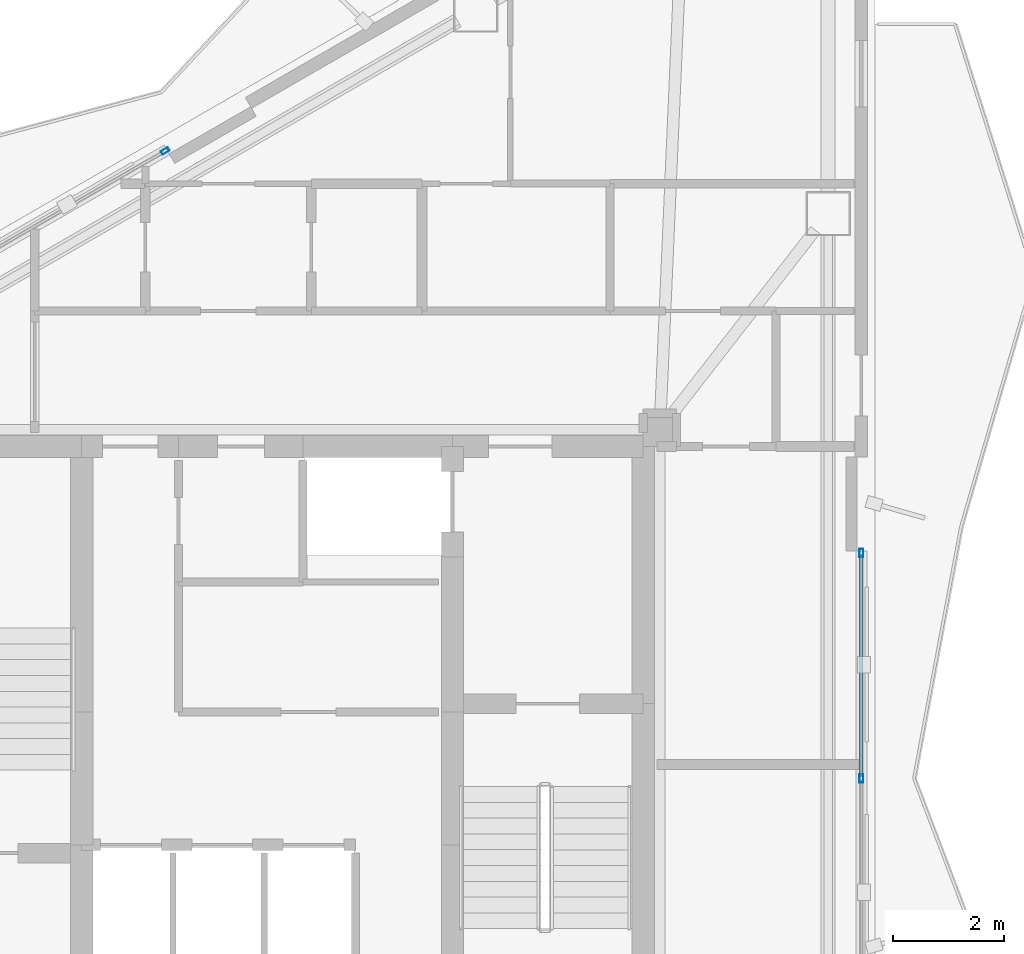
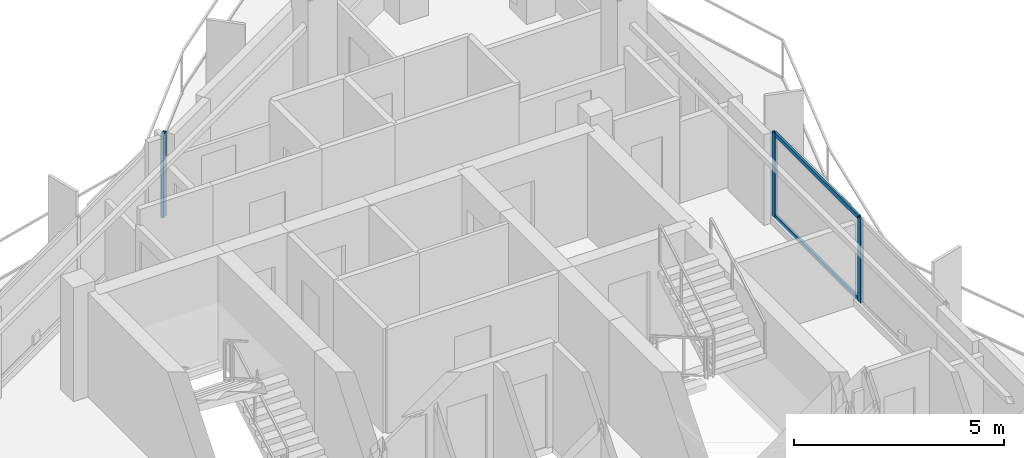
# One storey, part 12 of 18: 5 members, 2 elements without a shape of their own.
"""IFC4 building model written with IfcOpenShell, lengths in metres."""

from ifc_helpers import new_model, si_unit, direction, frame, origin, origin_2d, place, context, subcontext, project, spatial, hollow_rectangle, extrude, material, layer, layer_set, material_profile, profile_set, type_object, element, aggregate, save


model = new_model("IFC4")

# Units and contexts
model_context = context("Model", 3, precision=1e-05, world=origin(), true_north=direction((0.0, 1.0)))
body_context = subcontext(model_context, "Body", "Model", "MODEL_VIEW")
ifc_project = project(units=[si_unit("LENGTHUNIT", "METRE"), si_unit("AREAUNIT", "SQUARE_METRE"), si_unit("VOLUMEUNIT", "CUBIC_METRE"), si_unit("PLANEANGLEUNIT", "RADIAN"), si_unit("MASSUNIT", "GRAM", prefix="KILO")], contexts=[model_context])

# Site, building, storey
site_placement = place(None, origin())
site = spatial("IfcSite", under=ifc_project, at=site_placement, CompositionType="ELEMENT")
building_placement = place(site_placement, origin())
building = spatial("IfcBuilding", under=site, at=building_placement, Name="Mersakhor Tower and Convention Hall", CompositionType="ELEMENT")
storey_placement = place(building_placement, frame((0.0, 0.0, 246.300048828125)))
storey = spatial("IfcBuildingStorey", under=building, at=storey_placement, Name="L69", CompositionType="ELEMENT", Elevation=246.300048828125)

# Curtain wall, member
ifc_material_1 = material(Name="Dark solar low-E aluminium curtain wall", Category="aluminium")
ifc_layer = layer(ifc_material_1, 0.179931640625)
ifc_layer_set = layer_set([ifc_layer], Name="Dark solar low-E aluminium curtain wall")
curtain_wall_type = type_object("IfcCurtainWallType", Name="CW-SYS-03", PredefinedType="USERDEFINED", material=ifc_layer_set)
curtain_wall_1_placement = place(storey_placement, origin())
curtain_wall_1 = element("IfcCurtainWall", 1, at=curtain_wall_1_placement, inside=storey, type_object=curtain_wall_type, Name="L69 Dark-Glass Curtain Wall F1-B2", ObjectType="CURTAIN WALL", PredefinedType="USERDEFINED")
ifc_material_2 = material(Name="Anodised aluminium EN AW-6063 T6", Category="aluminium")
ifc_material_profile_1 = material_profile(ifc_material_2, hollow_rectangle(XDim=0.074951171875, YDim=0.14990234375, WallThickness=0.00634765625, at=origin_2d()), Name="RHS 150x75x6.3")
ifc_profile_set_1 = profile_set([ifc_material_profile_1], Name="Anodised aluminium EN AW-6063 T6")
member_type_1 = type_object("IfcMemberType", Name="CWM-150x75", PredefinedType="MULLION", material=ifc_profile_set_1)
member_1_placement = place(storey_placement, frame((27.158935546875, 38.091796875, 0.199951171875), z_axis=(0.0, 0.0, 1.0), x_axis=(-0.500004411169, 0.86602285698, 0.0)))
member_1 = element("IfcMember", 2, at=member_1_placement, type_object=member_type_1, Name="CW-03 mullion 3", PredefinedType="MULLION", context=body_context, shape_type="SweptSolid", body=[
    extrude(hollow_rectangle(XDim=0.074951171875, YDim=0.14990234375, WallThickness=0.00634765625, at=origin_2d()), origin(), (0.0, 0.0, 1.0), 2.43994140625),
])
aggregate(curtain_wall_1, [member_1])

# Curtain wall, members
curtain_wall_2_placement = place(storey_placement, origin())
curtain_wall_2 = element("IfcCurtainWall", 3, at=curtain_wall_2_placement, inside=storey, type_object=curtain_wall_type, Name="L69 Dark-Glass Curtain Wall F2-B2", ObjectType="CURTAIN WALL", PredefinedType="USERDEFINED")
member_2_placement = place(storey_placement, frame((39.742919921875, 30.826416015625, 0.199951171875), z_axis=(0.0, 0.0, 1.0), x_axis=(1.0, 0.0, 0.0)))
member_2 = element("IfcMember", 4, at=member_2_placement, type_object=member_type_1, Name="CW-03 mullion 1", PredefinedType="MULLION", context=body_context, shape_type="SweptSolid", body=[
    extrude(hollow_rectangle(XDim=0.074951171875, YDim=0.14990234375, WallThickness=0.00634765625, at=origin_2d()), origin(), (0.0, 0.0, 1.0), 2.43994140625),
])
member_3_placement = place(storey_placement, frame((39.742919921875, 26.75, 0.199951171875), z_axis=(0.0, 0.0, 1.0), x_axis=(1.0, 0.0, 0.0)))
member_3 = element("IfcMember", 5, at=member_3_placement, type_object=member_type_1, Name="CW-03 mullion 2", PredefinedType="MULLION", context=body_context, shape_type="SweptSolid", body=[
    extrude(hollow_rectangle(XDim=0.074951171875, YDim=0.14990234375, WallThickness=0.00634765625, at=origin_2d()), origin(), (0.0, 0.0, 1.0), 2.43994140625),
])
ifc_material_3 = material(Name="Anodised aluminium EN AW-6063 T6", Category="aluminium")
ifc_material_profile_2 = material_profile(ifc_material_3, hollow_rectangle(XDim=0.06005859375, YDim=0.1201171875, WallThickness=0.0048828125, at=origin_2d()), Name="RHS 120x60x5")
ifc_profile_set_2 = profile_set([ifc_material_profile_2], Name="Anodised aluminium EN AW-6063 T6")
member_type_2 = type_object("IfcMemberType", Name="CWT-120x60", PredefinedType="USERDEFINED", material=ifc_profile_set_2)
member_4_placement = place(storey_placement, frame((39.742919921875, 30.788818359375, 0.22998046875), z_axis=(0.0, -1.0, 0.0), x_axis=(1.0, 0.0, 0.0)))
member_4 = element("IfcMember", 6, at=member_4_placement, type_object=member_type_2, Name="CW-03 transom 1.1", ObjectType="TRANSOM", PredefinedType="USERDEFINED", context=body_context, shape_type="SweptSolid", body=[
    extrude(hollow_rectangle(XDim=0.06005859375, YDim=0.1201171875, WallThickness=0.0048828125, at=origin_2d()), origin(), (0.0, 0.0, 1.0), 4.001220703125),
])
member_5_placement = place(storey_placement, frame((39.742919921875, 30.788818359375, 2.60986328125), z_axis=(0.0, -1.0, 0.0), x_axis=(1.0, 0.0, 0.0)))
member_5 = element("IfcMember", 7, at=member_5_placement, type_object=member_type_2, Name="CW-03 transom 1.2", ObjectType="TRANSOM", PredefinedType="USERDEFINED", context=body_context, shape_type="SweptSolid", body=[
    extrude(hollow_rectangle(XDim=0.06005859375, YDim=0.1201171875, WallThickness=0.0048828125, at=origin_2d()), origin(), (0.0, 0.0, 1.0), 4.001220703125),
])
aggregate(curtain_wall_2, [member_2, member_3, member_4, member_5])

save(model, "model.ifc")
